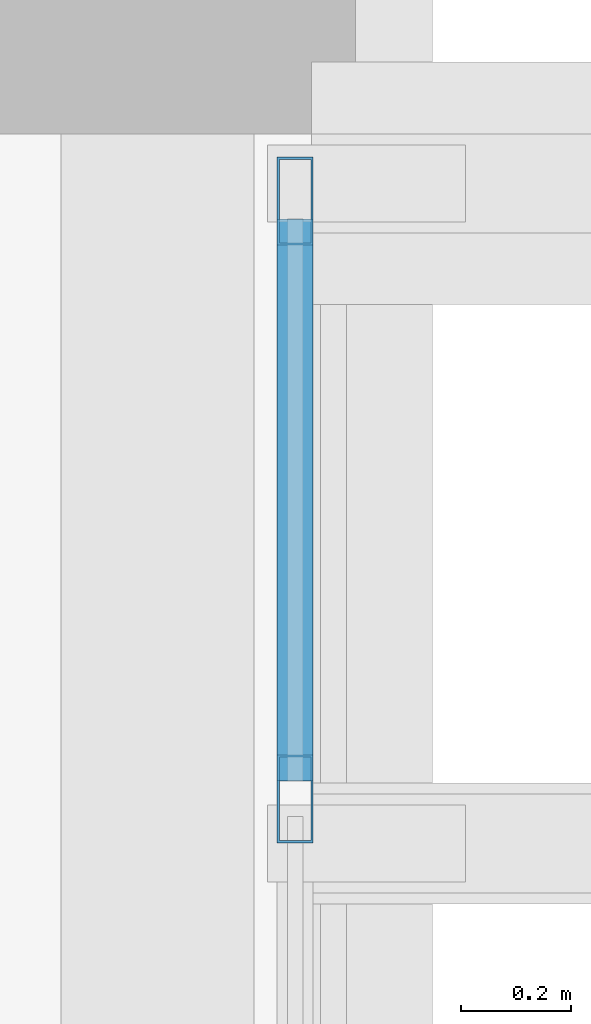
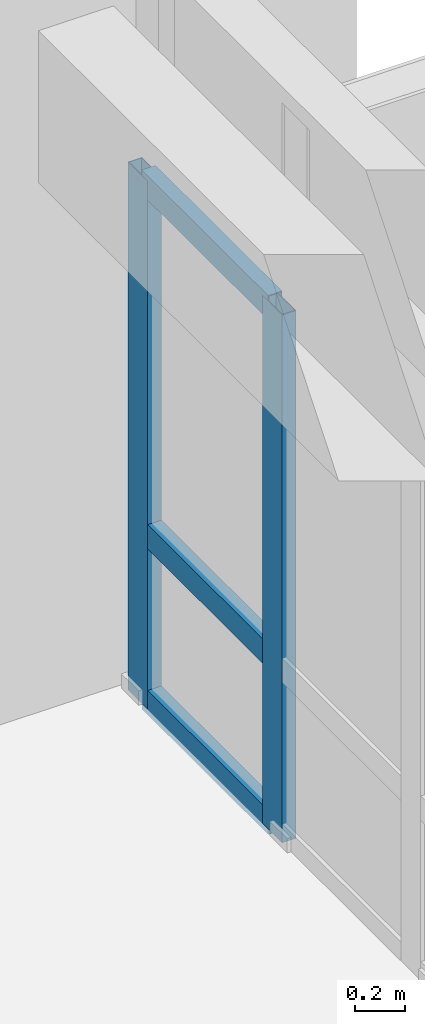
# One storey, part 44 of 59: 5 members, 1 element without a shape of its own.
"""IFC4 building model written with IfcOpenShell, lengths in metres."""

from ifc_helpers import new_model, si_unit, direction, frame, origin, origin_2d, place, context, subcontext, project, spatial, hollow_rectangle, extrude, material, layer, layer_set, material_profile, profile_set, type_object, element, aggregate, save


model = new_model("IFC4")

# Units and contexts
model_context = context("Model", 3, precision=1e-05, world=origin(), true_north=direction((0.0, 1.0)))
body_context = subcontext(model_context, "Body", "Model", "MODEL_VIEW")
ifc_project = project(units=[si_unit("LENGTHUNIT", "METRE"), si_unit("AREAUNIT", "SQUARE_METRE"), si_unit("VOLUMEUNIT", "CUBIC_METRE"), si_unit("PLANEANGLEUNIT", "RADIAN"), si_unit("MASSUNIT", "GRAM", prefix="KILO")], contexts=[model_context])

# Site, building, storey
site_placement = place(None, origin())
site = spatial("IfcSite", under=ifc_project, at=site_placement, CompositionType="ELEMENT")
building_placement = place(site_placement, origin())
building = spatial("IfcBuilding", under=site, at=building_placement, Name="Nakhvara Creek Congress Hotel", CompositionType="ELEMENT")
storey_placement = place(building_placement, frame((0.0, 0.0, 31.800048828125)))
storey = spatial("IfcBuildingStorey", under=building, at=storey_placement, Name="L07", CompositionType="ELEMENT", Elevation=31.800048828125)

# Curtain wall, members
ifc_material_1 = material(Name="Bronze-anodised aluminium AW-6063-T6 and double-silver low-E glass", Category="aluminium")
ifc_layer = layer(ifc_material_1, 0.199951171875)
ifc_layer_set = layer_set([ifc_layer], Name="Bronze-anodised aluminium AW-6063-T6 and double-silver low-E glass")
curtain_wall_type = type_object("IfcCurtainWallType", Name="CW-HTL-UNIT", PredefinedType="USERDEFINED", material=ifc_layer_set)
curtain_wall_placement = place(storey_placement, origin())
curtain_wall = element("IfcCurtainWall", 1, at=curtain_wall_placement, inside=storey, type_object=curtain_wall_type, Name="Curtain Wall CW273", ObjectType="UNITISED", PredefinedType="USERDEFINED")
ifc_material_2 = material(Name="Bronze-anodised aluminium AW-6063-T6", Category="aluminium")
ifc_material_profile_1 = material_profile(ifc_material_2, hollow_rectangle(XDim=0.06494140625, YDim=0.159912109375, WallThickness=0.00390625, at=origin_2d()), Name="ALU-MULL 65x160x4", Category="LoadBearing")
ifc_profile_set_1 = profile_set([ifc_material_profile_1], Name="Bronze-anodised aluminium AW-6063-T6")
member_type_1 = type_object("IfcMemberType", Name="CW-MULL-160", PredefinedType="MULLION", material=ifc_profile_set_1)
member_1_placement = place(storey_placement, frame((179.60009765625, 124.767578125, 0.0), z_axis=(0.0, 0.0, 1.0), x_axis=(1.0, 0.0, 0.0)))
member_1 = element("IfcMember", 2, at=member_1_placement, type_object=member_type_1, Name="CW273 mullion 1", PredefinedType="MULLION", context=body_context, shape_type="SweptSolid", body=[
    extrude(hollow_rectangle(XDim=0.06494140625, YDim=0.159912109375, WallThickness=0.00390625, at=origin_2d()), origin(), (0.0, 0.0, 1.0), 2.60205078125),
])
member_2_placement = place(storey_placement, frame((179.60009765625, 123.68115234375, 0.0), z_axis=(0.0, 0.0, 1.0), x_axis=(1.0, 0.0, 0.0)))
member_2 = element("IfcMember", 3, at=member_2_placement, type_object=member_type_1, Name="CW273 mullion 2", PredefinedType="MULLION", context=body_context, shape_type="SweptSolid", body=[
    extrude(hollow_rectangle(XDim=0.06494140625, YDim=0.159912109375, WallThickness=0.00390625, at=origin_2d()), origin(), (0.0, 0.0, 1.0), 2.60205078125),
])
ifc_material_profile_2 = material_profile(ifc_material_2, hollow_rectangle(XDim=0.06494140625, YDim=0.1201171875, WallThickness=0.00390625, at=origin_2d()), Name="ALU-TRAN 65x120x4", Category="LoadBearing")
ifc_profile_set_2 = profile_set([ifc_material_profile_2], Name="Bronze-anodised aluminium AW-6063-T6")
member_type_2 = type_object("IfcMemberType", Name="CW-TRAN-120", PredefinedType="USERDEFINED", material=ifc_profile_set_2)
member_3_placement = place(storey_placement, frame((179.60009765625, 124.735107421875, 0.032470703125), z_axis=(0.0, -1.0, 0.0), x_axis=(1.0, 0.0, 0.0)))
member_3 = element("IfcMember", 4, at=member_3_placement, type_object=member_type_2, Name="CW273 transom 1.1", ObjectType="TRANSOM", PredefinedType="USERDEFINED", context=body_context, shape_type="SweptSolid", body=[
    extrude(hollow_rectangle(XDim=0.06494140625, YDim=0.1201171875, WallThickness=0.00390625, at=origin_2d()), origin(), (0.0, 0.0, 1.0), 1.021240234375),
])
member_4_placement = place(storey_placement, frame((179.60009765625, 124.735107421875, 0.849853515625), z_axis=(0.0, -1.0, 0.0), x_axis=(1.0, 0.0, 0.0)))
member_4 = element("IfcMember", 5, at=member_4_placement, type_object=member_type_2, Name="CW273 transom 1.2", ObjectType="TRANSOM", PredefinedType="USERDEFINED", context=body_context, shape_type="SweptSolid", body=[
    extrude(hollow_rectangle(XDim=0.06494140625, YDim=0.1201171875, WallThickness=0.00390625, at=origin_2d()), origin(), (0.0, 0.0, 1.0), 1.021240234375),
])
member_5_placement = place(storey_placement, frame((179.60009765625, 124.735107421875, 2.5693359375), z_axis=(0.0, -1.0, 0.0), x_axis=(1.0, 0.0, 0.0)))
member_5 = element("IfcMember", 6, at=member_5_placement, type_object=member_type_2, Name="CW273 transom 1.3", ObjectType="TRANSOM", PredefinedType="USERDEFINED", context=body_context, shape_type="SweptSolid", body=[
    extrude(hollow_rectangle(XDim=0.06494140625, YDim=0.1201171875, WallThickness=0.00390625, at=origin_2d()), origin(), (0.0, 0.0, 1.0), 1.021240234375),
])
aggregate(curtain_wall, [member_1, member_2, member_3, member_4, member_5])

save(model, "model.ifc")
